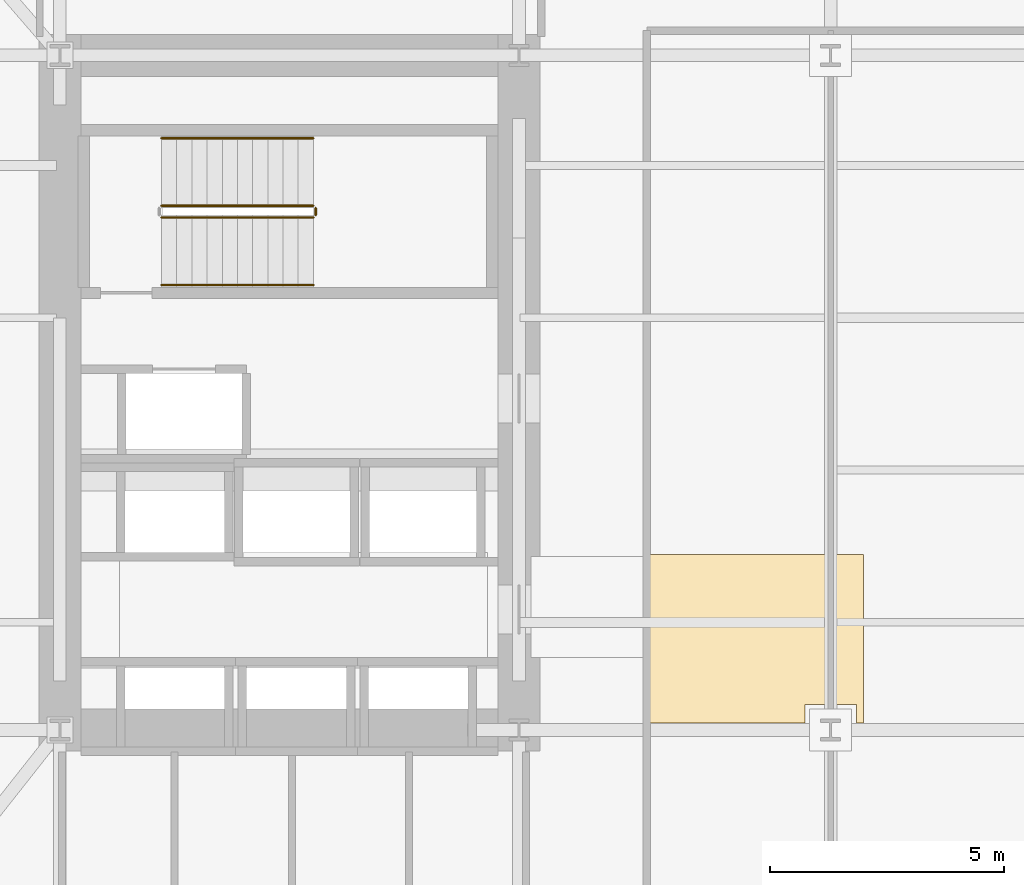
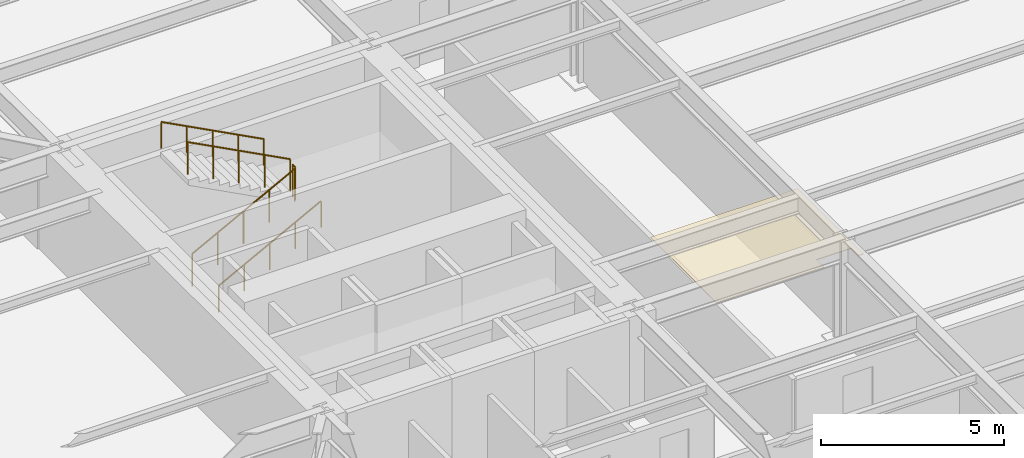
# One storey, part 10 of 15: 5 railings, 1 covering.
"""IFC4 building model written with IfcOpenShell, lengths in metres."""

from ifc_helpers import new_model, si_unit, direction, frame, origin, origin_2d, place, context, subcontext, project, spatial, polyline, circle, outline, extrude, material, layer, layer_set, type_object, element, save


model = new_model("IFC4")

# Units and contexts
model_context = context("Model", 3, precision=1e-05, world=origin(), true_north=direction((0.0, 1.0)))
body_context = subcontext(model_context, "Body", "Model", "MODEL_VIEW")
ifc_project = project(units=[si_unit("LENGTHUNIT", "METRE"), si_unit("AREAUNIT", "SQUARE_METRE"), si_unit("VOLUMEUNIT", "CUBIC_METRE"), si_unit("PLANEANGLEUNIT", "RADIAN"), si_unit("MASSUNIT", "GRAM", prefix="KILO")], contexts=[model_context])

# Site, building, storey
site_placement = place(None, origin())
site = spatial("IfcSite", under=ifc_project, at=site_placement, CompositionType="ELEMENT")
building_placement = place(site_placement, origin())
building = spatial("IfcBuilding", under=site, at=building_placement, Name="Kolvaren Arena Tower", CompositionType="ELEMENT")
storey_placement = place(building_placement, frame((0.0, 0.0, 42.0)))
storey = spatial("IfcBuildingStorey", under=building, at=storey_placement, Name="L07", CompositionType="ELEMENT", Elevation=42.0)

# Covering
ifc_material_1 = material(Name="Mineral fibre acoustic ceiling tile", Category="gypsum")
ifc_layer = layer(ifc_material_1, 0.02490234375)
ifc_layer_set = layer_set([ifc_layer], Name="Mineral fibre acoustic ceiling tile")
covering_type = type_object("IfcCoveringType", Name="CEIL-ACT-1", PredefinedType="CEILING", material=ifc_layer_set)
covering_placement = place(storey_placement, frame((0.0, 0.0, 2.52001953125)))
element("IfcCovering", 1, at=covering_placement, inside=storey, type_object=covering_type, Name="Suspended Ceiling (L07)", PredefinedType="CEILING", context=body_context, shape_type="SweptSolid", body=[
    extrude(outline(polyline([(27.050048828125, 19.60009765625), (27.050048828125, 23.199951171875), (31.699951171875, 23.199951171875), (31.699951171875, 19.60009765625), (31.550048828125, 19.60009765625), (31.550048828125, 20.0), (30.449951171875, 20.0), (30.449951171875, 19.60009765625), (27.050048828125, 19.60009765625)])), origin(), (0.0, 0.0, 1.0), 0.02490234375),
])

# Railings
ifc_material_2 = material(Name="Painted galvanized steel", Category="steel")
railing_type_1 = type_object("IfcRailingType", Name="GUARD-ST-110", PredefinedType="GUARDRAIL", material=ifc_material_2)
railing_1_placement = place(storey_placement, frame((16.719970703125, 30.389892578125, 0.17041015625)))
element("IfcRailing", 2, at=railing_1_placement, inside=storey, type_object=railing_type_1, Name="L07 ST-W1 stair guard 1", PredefinedType="GUARDRAIL", context=body_context, shape_type="SweptSolid", body=[
    extrude(circle(Radius=0.02392578125, at=origin_2d()), frame((0.0, 0.0, 1.076171875), z_axis=(0.884993431791, 0.0, 0.465603506952), x_axis=(0.0, 1.0, 0.0)), (0.0, 0.0, 1.0), 3.6611328125),
    extrude(circle(Radius=0.02099609375, at=origin_2d()), origin(), (0.0, 0.0, 1.0), 1.052001953125),
    extrude(circle(Radius=0.02099609375, at=origin_2d()), frame((0.81005859375, 0.0, 0.42626953125)), (0.0, 0.0, 1.0), 1.052001953125),
    extrude(circle(Radius=0.02099609375, at=origin_2d()), frame((1.6201171875, 0.0, 0.852294921875)), (0.0, 0.0, 1.0), 1.052001953125),
    extrude(circle(Radius=0.02099609375, at=origin_2d()), frame((2.429931640625, 0.0, 1.2783203125)), (0.0, 0.0, 1.0), 1.052001953125),
    extrude(circle(Radius=0.02099609375, at=origin_2d()), frame((3.239990234375, 0.0, 1.70458984375)), (0.0, 0.0, 1.0), 1.052001953125),
])
railing_2_placement = place(storey_placement, frame((20.010009765625, 30.43994140625, 1.875)))
element("IfcRailing", 3, at=railing_2_placement, inside=storey, type_object=railing_type_1, Name="L07 ST-W1 stair guard 2", PredefinedType="GUARDRAIL", context=body_context, shape_type="SweptSolid", body=[
    extrude(circle(Radius=0.02392578125, at=origin_2d()), frame((0.0, 0.0, 1.076171875), z_axis=(0.0, 1.0, 0.0), x_axis=(-1.0, 0.0, 0.0)), (0.0, 0.0, 1.0), 0.150146484375),
    extrude(circle(Radius=0.02099609375, at=origin_2d()), origin(), (0.0, 0.0, 1.0), 1.052001953125),
    extrude(circle(Radius=0.02099609375, at=origin_2d()), frame((0.0, 0.150146484375, 0.0)), (0.0, 0.0, 1.0), 1.052001953125),
])
railing_3_placement = place(storey_placement, frame((19.9599609375, 30.639892578125, 2.04541015625)))
element("IfcRailing", 4, at=railing_3_placement, inside=storey, type_object=railing_type_1, Name="L07 ST-W1 stair guard 3", PredefinedType="GUARDRAIL", context=body_context, shape_type="SweptSolid", body=[
    extrude(circle(Radius=0.02392578125, at=origin_2d()), frame((0.0, 0.0, 1.076171875), z_axis=(-0.884993431791, 0.0, 0.465603506952), x_axis=(0.0, -1.0, 0.0)), (0.0, 0.0, 1.0), 3.6611328125),
    extrude(circle(Radius=0.02099609375, at=origin_2d()), origin(), (0.0, 0.0, 1.0), 1.052001953125),
    extrude(circle(Radius=0.02099609375, at=origin_2d()), frame((-0.81005859375, 0.0, 0.42626953125)), (0.0, 0.0, 1.0), 1.052001953125),
    extrude(circle(Radius=0.02099609375, at=origin_2d()), frame((-1.6201171875, 0.0, 0.852294921875)), (0.0, 0.0, 1.0), 1.052001953125),
    extrude(circle(Radius=0.02099609375, at=origin_2d()), frame((-2.429931640625, 0.0, 1.2783203125)), (0.0, 0.0, 1.0), 1.052001953125),
    extrude(circle(Radius=0.02099609375, at=origin_2d()), frame((-3.239990234375, 0.0, 1.70458984375)), (0.0, 0.0, 1.0), 1.052001953125),
])
ifc_material_3 = material(Name="Brushed stainless steel handrail", Category="steel")
railing_type_2 = type_object("IfcRailingType", Name="HRAIL-900", PredefinedType="HANDRAIL", material=ifc_material_3)
railing_4_placement = place(storey_placement, frame((16.719970703125, 28.949951171875, 0.17041015625)))
element("IfcRailing", 5, at=railing_4_placement, inside=storey, type_object=railing_type_2, Name="L07 ST-W1 stair handrail 1", PredefinedType="HANDRAIL", context=body_context, shape_type="SweptSolid", body=[
    extrude(circle(Radius=0.02392578125, at=origin_2d()), frame((0.0, 0.0, 0.8759765625), z_axis=(0.884993431791, 0.0, 0.465603506952), x_axis=(0.0, 1.0, 0.0)), (0.0, 0.0, 1.0), 3.6611328125),
    extrude(circle(Radius=0.02099609375, at=origin_2d()), origin(), (0.0, 0.0, 1.0), 0.851806640625),
    extrude(circle(Radius=0.02099609375, at=origin_2d()), frame((0.81005859375, 0.0, 0.42626953125)), (0.0, 0.0, 1.0), 0.851806640625),
    extrude(circle(Radius=0.02099609375, at=origin_2d()), frame((1.6201171875, 0.0, 0.852294921875)), (0.0, 0.0, 1.0), 0.851806640625),
    extrude(circle(Radius=0.02099609375, at=origin_2d()), frame((2.429931640625, 0.0, 1.2783203125)), (0.0, 0.0, 1.0), 0.851806640625),
    extrude(circle(Radius=0.02099609375, at=origin_2d()), frame((3.239990234375, 0.0, 1.70458984375)), (0.0, 0.0, 1.0), 0.851806640625),
])
railing_5_placement = place(storey_placement, frame((19.9599609375, 32.080078125, 2.04541015625)))
element("IfcRailing", 6, at=railing_5_placement, inside=storey, type_object=railing_type_2, Name="L07 ST-W1 stair handrail 2", PredefinedType="HANDRAIL", context=body_context, shape_type="SweptSolid", body=[
    extrude(circle(Radius=0.02392578125, at=origin_2d()), frame((0.0, 0.0, 0.8759765625), z_axis=(-0.884993431791, 0.0, 0.465603506952), x_axis=(0.0, -1.0, 0.0)), (0.0, 0.0, 1.0), 3.6611328125),
    extrude(circle(Radius=0.02099609375, at=origin_2d()), origin(), (0.0, 0.0, 1.0), 0.851806640625),
    extrude(circle(Radius=0.02099609375, at=origin_2d()), frame((-0.81005859375, 0.0, 0.42626953125)), (0.0, 0.0, 1.0), 0.851806640625),
    extrude(circle(Radius=0.02099609375, at=origin_2d()), frame((-1.6201171875, 0.0, 0.852294921875)), (0.0, 0.0, 1.0), 0.851806640625),
    extrude(circle(Radius=0.02099609375, at=origin_2d()), frame((-2.429931640625, 0.0, 1.2783203125)), (0.0, 0.0, 1.0), 0.851806640625),
    extrude(circle(Radius=0.02099609375, at=origin_2d()), frame((-3.239990234375, 0.0, 1.70458984375)), (0.0, 0.0, 1.0), 0.851806640625),
])

save(model, "model.ifc")
